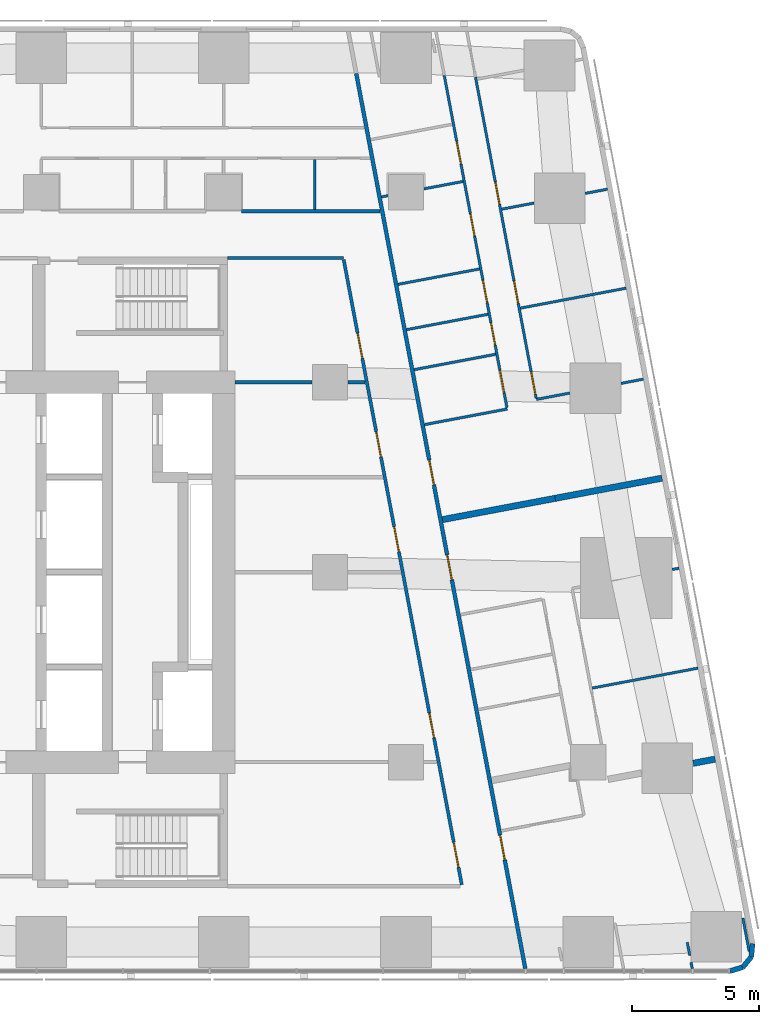
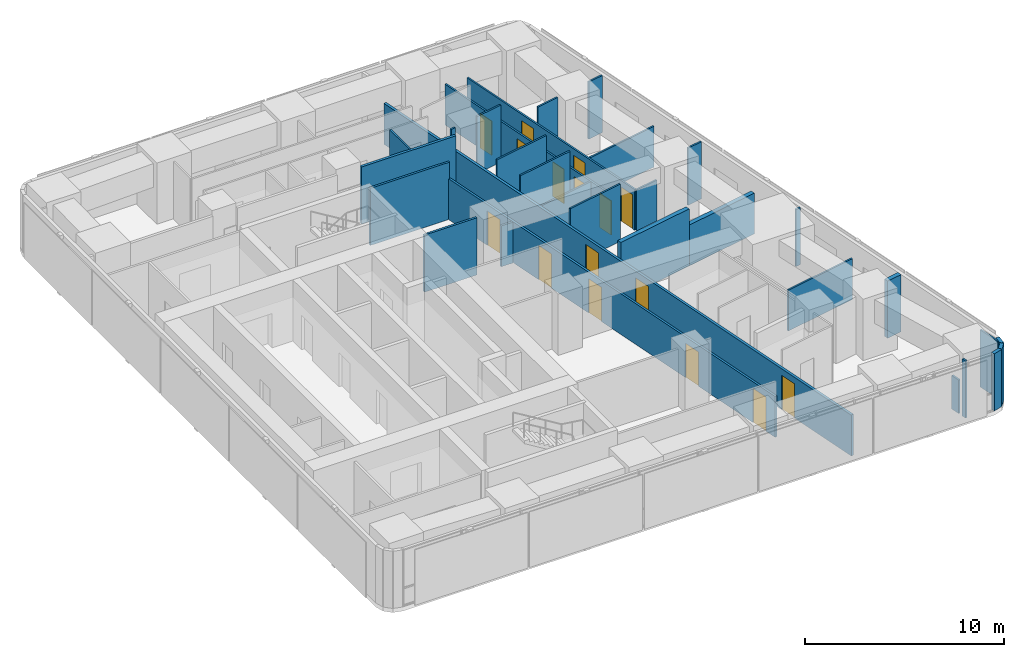
# One storey, part 7 of 11: 31 walls, 16 doors, 16 openings.
"""IFC4 building model written with IfcOpenShell, lengths in metres."""

from ifc_helpers import new_model, si_unit, direction, frame, frame_2d, origin, place, context, subcontext, project, spatial, rectangle, extrude, material, layer, layer_set, type_object, element, fill, save


model = new_model("IFC4")

# Units and contexts
model_context = context("Model", 3, precision=1e-05, world=origin(), true_north=direction((0.0, 1.0)))
body_context = subcontext(model_context, "Body", "Model", "MODEL_VIEW")
ifc_project = project(units=[si_unit("LENGTHUNIT", "METRE"), si_unit("AREAUNIT", "SQUARE_METRE"), si_unit("VOLUMEUNIT", "CUBIC_METRE"), si_unit("PLANEANGLEUNIT", "RADIAN"), si_unit("MASSUNIT", "GRAM", prefix="KILO")], contexts=[model_context])

# Site, building, storey
site_placement = place(None, origin())
site = spatial("IfcSite", under=ifc_project, at=site_placement, CompositionType="ELEMENT")
building_placement = place(site_placement, origin())
building = spatial("IfcBuilding", under=site, at=building_placement, Name="Sheger Commons Tower", CompositionType="ELEMENT")
storey_placement = place(building_placement, frame((0.0, 0.0, 266.60009765625)))
storey = spatial("IfcBuildingStorey", under=building, at=storey_placement, Name="L68", CompositionType="ELEMENT", Elevation=266.60009765625)

# Wall
ifc_material_1 = material(Name="Hollow concrete block masonry, skimmed both sides", Category="masonry")
ifc_layer_1 = layer(ifc_material_1, 0.14990234375)
ifc_layer_set_1 = layer_set([ifc_layer_1], Name="CORRIDOR WALL 150")
wall_type_1 = type_object("IfcWallType", Name="CORRIDOR WALL 150", PredefinedType="SOLIDWALL", material=ifc_layer_set_1)
wall_1_placement = place(storey_placement, frame((29.5009765625, 36.75, 0.0), z_axis=(0.0, 0.0, 1.0), x_axis=(1.0, 0.0, 0.0)))
element("IfcWall", 1, at=wall_1_placement, inside=storey, type_object=wall_type_1, Name="Corridor wall L68", PredefinedType="SOLIDWALL", context=body_context, shape_type="SweptSolid", body=[
    extrude(rectangle(XDim=5.470947265625, YDim=0.14990234375, at=frame_2d((2.7353515625, 0.0))), origin(), (0.0, 0.0, 1.0), 3.5),
])

# Wall, openings, doors
wall_2_placement = place(storey_placement, frame((34.035888671875, 42.18603515625, 0.0), z_axis=(0.0, 0.0, 1.0), x_axis=(0.185593518645, -0.9826266055, 0.0)))
wall_2 = element("IfcWall", 2, at=wall_2_placement, inside=storey, type_object=wall_type_1, Name="Corridor wall L68", PredefinedType="SOLIDWALL", context=body_context, shape_type="SweptSolid", body=[
    extrude(rectangle(XDim=35.960693359375, YDim=0.14990234375, at=frame_2d((17.98046875, 0.0))), origin(), (0.0, 0.0, 1.0), 2.5),
])
opening_1_placement = place(wall_2_placement, frame((15.529052734375, 0.0, 0.0)))
opening_1 = element("IfcOpeningElement", 3, at=opening_1_placement, cuts=wall_2, Name="Opening D1", PredefinedType="OPENING", context=body_context, shape_type="SweptSolid", body=[
    extrude(rectangle(XDim=1.0, YDim=2.10009765625, at=frame_2d((0.5, 1.050048828125))), frame((0.0, 0.0849609375, 0.0), z_axis=(0.0, -1.0, 0.0), x_axis=(1.0, 0.0, 0.0)), (0.0, 0.0, 1.0), 0.169921875),
])
opening_2_placement = place(wall_2_placement, frame((19.344970703125, 0.0, 0.0)))
opening_2 = element("IfcOpeningElement", 4, at=opening_2_placement, cuts=wall_2, Name="Opening D1", PredefinedType="OPENING", context=body_context, shape_type="SweptSolid", body=[
    extrude(rectangle(XDim=1.0, YDim=2.10009765625, at=frame_2d((0.5, 1.050048828125))), frame((0.0, 0.0849609375, 0.0), z_axis=(0.0, -1.0, 0.0), x_axis=(1.0, 0.0, 0.0)), (0.0, 0.0, 1.0), 0.169921875),
])
opening_3_placement = place(wall_2_placement, frame((30.593994140625, 0.0, 0.0)))
opening_3 = element("IfcOpeningElement", 5, at=opening_3_placement, cuts=wall_2, Name="Opening D1", PredefinedType="OPENING", context=body_context, shape_type="SweptSolid", body=[
    extrude(rectangle(XDim=1.0, YDim=2.10009765625, at=frame_2d((0.5, 1.050048828125))), frame((0.0, 0.0849609375, 0.0), z_axis=(0.0, -1.0, 0.0), x_axis=(1.0, 0.0, 0.0)), (0.0, 0.0, 1.0), 0.169921875),
])
ifc_material_2 = material(Name="Steel door set, fire rated", Category="steel")
door_type_1 = type_object("IfcDoorType", Name="FLAT ENTRANCE DOOR 1000x2100", OperationType="NOTDEFINED", PredefinedType="DOOR", material=ifc_material_2)
door_1_placement = place(opening_1_placement, origin())
door_1 = element("IfcDoor", 6, at=door_1_placement, inside=storey, type_object=door_type_1, Name="Flat entrance door", OperationType="SINGLE_SWING_RIGHT", OverallHeight=2.10009765625, OverallWidth=1.0, PredefinedType="DOOR", context=body_context, shape_type="SweptSolid", body=[
    extrude(rectangle(XDim=1.0, YDim=2.10009765625, at=frame_2d((0.5, 1.050048828125))), frame((0.0, 0.02490234375, 0.0), z_axis=(0.0, -1.0, 0.0), x_axis=(1.0, 0.0, 0.0)), (0.0, 0.0, 1.0), 0.050048828125),
])
fill(opening_1, door_1)
door_2_placement = place(opening_2_placement, origin())
door_2 = element("IfcDoor", 7, at=door_2_placement, inside=storey, type_object=door_type_1, Name="Flat entrance door", OperationType="SINGLE_SWING_LEFT", OverallHeight=2.10009765625, OverallWidth=1.0, PredefinedType="DOOR", context=body_context, shape_type="SweptSolid", body=[
    extrude(rectangle(XDim=1.0, YDim=2.10009765625, at=frame_2d((0.5, 1.050048828125))), frame((0.0, 0.02490234375, 0.0), z_axis=(0.0, -1.0, 0.0), x_axis=(1.0, 0.0, 0.0)), (0.0, 0.0, 1.0), 0.050048828125),
])
fill(opening_2, door_2)
door_3_placement = place(opening_3_placement, origin())
door_3 = element("IfcDoor", 8, at=door_3_placement, inside=storey, type_object=door_type_1, Name="Flat entrance door", OperationType="SINGLE_SWING_RIGHT", OverallHeight=2.10009765625, OverallWidth=1.0, PredefinedType="DOOR", context=body_context, shape_type="SweptSolid", body=[
    extrude(rectangle(XDim=1.0, YDim=2.10009765625, at=frame_2d((0.5, 1.050048828125))), frame((0.0, 0.02490234375, 0.0), z_axis=(0.0, -1.0, 0.0), x_axis=(1.0, 0.0, 0.0)), (0.0, 0.0, 1.0), 0.050048828125),
])
fill(opening_3, door_3)

# Walls
ifc_material_3 = material(Name="Dense concrete block masonry, plastered both sides (separating wall between flats)", Category="masonry")
ifc_layer_2 = layer(ifc_material_3, 0.25)
ifc_layer_set_2 = layer_set([ifc_layer_2], Name="DEMISING WALL 250")
wall_type_2 = type_object("IfcWallType", Name="DEMISING WALL 250", PredefinedType="SOLIDWALL", material=ifc_layer_set_2)
wall_3_placement = place(storey_placement, frame((46.110107421875, 26.212890625, 0.0), z_axis=(0.0, 0.0, 1.0), x_axis=(-0.982633535512, -0.185556823879, 0.0)))
element("IfcWall", 9, at=wall_3_placement, inside=storey, type_object=wall_type_2, Name="Demising wall L68", PredefinedType="SOLIDWALL", context=body_context, shape_type="SweptSolid", body=[
    extrude(rectangle(XDim=4.2998046875, YDim=0.25, at=frame_2d((2.14990234375, 0.0))), origin(), (0.0, 0.0, 1.0), 2.5),
])
wall_4_placement = place(storey_placement, frame((41.885009765625, 25.4150390625, 0.0), z_axis=(0.0, 0.0, 1.0), x_axis=(-0.982612837616, -0.185666398014, 0.0)))
element("IfcWall", 10, at=wall_4_placement, inside=storey, type_object=wall_type_2, Name="Demising wall L68", PredefinedType="SOLIDWALL", context=body_context, shape_type="SweptSolid", body=[
    extrude(rectangle(XDim=4.524658203125, YDim=0.25, at=frame_2d((2.26220703125, 0.0))), origin(), (0.0, 0.0, 1.0), 3.5),
])
wall_5_placement = place(storey_placement, frame((48.2060546875, 15.1201171875, 0.0), z_axis=(0.0, 0.0, 1.0), x_axis=(-0.982608419258, -0.185689780017, 0.0)))
element("IfcWall", 11, at=wall_5_placement, inside=storey, type_object=wall_type_2, Name="Demising wall L68", PredefinedType="SOLIDWALL", context=body_context, shape_type="SweptSolid", body=[
    extrude(rectangle(XDim=0.883544921875, YDim=0.25, at=frame_2d((0.44189453125, 0.0))), origin(), (0.0, 0.0, 1.0), 3.5),
])
ifc_material_4 = material(Name="Rendered concrete block masonry, dark grey", Category="masonry")
ifc_layer_3 = layer(ifc_material_4, 0.199951171875)
ifc_layer_set_3 = layer_set([ifc_layer_3], Name="FACADE WALL 200")
wall_type_3 = type_object("IfcWallType", Name="FACADE WALL 200", PredefinedType="SOLIDWALL", material=ifc_layer_set_3)
wall_6_placement = place(storey_placement, frame((48.787109375, 6.75, 0.0), z_axis=(0.0, 0.0, 1.0), x_axis=(0.957282247819, 0.289155145225, 0.0)))
element("IfcWall", 12, at=wall_6_placement, inside=storey, type_object=wall_type_3, Name="Facade wall L68", PredefinedType="SOLIDWALL", context=body_context, shape_type="SweptSolid", body=[
    extrude(rectangle(XDim=0.53271484375, YDim=0.199951171875, at=frame_2d((0.266357421875, 0.0))), origin(), (0.0, 0.0, 1.0), 3.5),
])
wall_7_placement = place(storey_placement, frame((49.297119140625, 6.904052734375, 0.0), z_axis=(0.0, 0.0, 1.0), x_axis=(0.639255849474, 0.768994121508, 0.0)))
element("IfcWall", 13, at=wall_7_placement, inside=storey, type_object=wall_type_3, Name="Facade wall L68", PredefinedType="SOLIDWALL", context=body_context, shape_type="SweptSolid", body=[
    extrude(rectangle(XDim=0.517578125, YDim=0.199951171875, at=frame_2d((0.2587890625, 0.0))), origin(), (0.0, 0.0, 1.0), 3.5),
])
wall_8_placement = place(storey_placement, frame((49.6279296875, 7.302001953125, 0.0), z_axis=(0.0, 0.0, 1.0), x_axis=(0.105352390132, 0.994434952068, 0.0)))
element("IfcWall", 14, at=wall_8_placement, inside=storey, type_object=wall_type_3, Name="Facade wall L68", PredefinedType="SOLIDWALL", context=body_context, shape_type="SweptSolid", body=[
    extrude(rectangle(XDim=0.532958984375, YDim=0.199951171875, at=frame_2d((0.2666015625, 0.0))), origin(), (0.0, 0.0, 1.0), 3.5),
])
ifc_material_5 = material(Name="Gypsum board on steel studs", Category="steel")
ifc_layer_4 = layer(ifc_material_5, 0.10009765625)
ifc_layer_set_4 = layer_set([ifc_layer_4], Name="PARTITION 100")
wall_type_4 = type_object("IfcWallType", Name="PARTITION 100", PredefinedType="PARTITIONING", material=ifc_layer_set_4)
wall_9_placement = place(storey_placement, frame((49.300048828125, 8.85107421875, 0.0), z_axis=(0.0, 0.0, 1.0), x_axis=(0.18581620423, -0.982584519645, 0.0)))
element("IfcWall", 15, at=wall_9_placement, inside=storey, type_object=wall_type_4, Name="Partition L68", PredefinedType="PARTITIONING", context=body_context, shape_type="SweptSolid", body=[
    extrude(rectangle(XDim=1.3505859375, YDim=0.10009765625, at=frame_2d((0.67529296875, 0.0))), origin(), (0.0, 0.0, 1.0), 3.5),
])
wall_10_placement = place(storey_placement, frame((47.301025390625, 6.85009765625, 0.0), z_axis=(0.0, 0.0, 1.0), x_axis=(-0.187513903188, 0.982261948826, 0.0)))
element("IfcWall", 16, at=wall_10_placement, inside=storey, type_object=wall_type_4, Name="Partition L68", PredefinedType="PARTITIONING", context=body_context, shape_type="SweptSolid", body=[
    extrude(rectangle(XDim=0.251220703125, YDim=0.10009765625, at=frame_2d((0.12548828125, 0.0))), origin(), (0.0, 0.0, 1.0), 3.5),
])
wall_11_placement = place(storey_placement, frame((47.202880859375, 7.368896484375, 0.0), z_axis=(0.0, 0.0, 1.0), x_axis=(-0.186456243114, 0.982463266185, 0.0)))
element("IfcWall", 17, at=wall_11_placement, inside=storey, type_object=wall_type_4, Name="Partition L68", PredefinedType="PARTITIONING", context=body_context, shape_type="SweptSolid", body=[
    extrude(rectangle(XDim=0.5302734375, YDim=0.10009765625, at=frame_2d((0.26513671875, 0.0))), origin(), (0.0, 0.0, 1.0), 2.0498046875),
])

# Wall, openings, doors
wall_12_placement = place(storey_placement, frame((38.743896484375, 42.044921875, 0.0), z_axis=(0.0, 0.0, 1.0), x_axis=(0.185614085367, -0.982622720739, 0.0)))
wall_12 = element("IfcWall", 18, at=wall_12_placement, inside=storey, type_object=wall_type_4, Name="Partition L68", PredefinedType="PARTITIONING", context=body_context, shape_type="SweptSolid", body=[
    extrude(rectangle(XDim=12.89794921875, YDim=0.10009765625, at=frame_2d((6.448974609375, 0.0))), origin(), (0.0, 0.0, 1.0), 2.5),
])
opening_4_placement = place(wall_12_placement, frame((11.847900390625, 0.0, 0.0)))
opening_4 = element("IfcOpeningElement", 19, at=opening_4_placement, cuts=wall_12, Name="Opening D2", PredefinedType="OPENING", context=body_context, shape_type="SweptSolid", body=[
    extrude(rectangle(XDim=0.89990234375, YDim=2.10009765625, at=frame_2d((0.449951171875, 1.050048828125))), frame((0.0, 0.06005859375, 0.0), z_axis=(0.0, -1.0, 0.0), x_axis=(1.0, 0.0, 0.0)), (0.0, 0.0, 1.0), 0.1201171875),
])
opening_5_placement = place(wall_12_placement, frame((8.19091796875, 0.0, 0.0)))
opening_5 = element("IfcOpeningElement", 20, at=opening_5_placement, cuts=wall_12, Name="Opening D2", PredefinedType="OPENING", context=body_context, shape_type="SweptSolid", body=[
    extrude(rectangle(XDim=0.89990234375, YDim=2.10009765625, at=frame_2d((0.449951171875, 1.050048828125))), frame((0.0, 0.06005859375, 0.0), z_axis=(0.0, -1.0, 0.0), x_axis=(1.0, 0.0, 0.0)), (0.0, 0.0, 1.0), 0.1201171875),
])
opening_6_placement = place(wall_12_placement, frame((4.215087890625, 0.0, 0.0)))
opening_6 = element("IfcOpeningElement", 21, at=opening_6_placement, cuts=wall_12, Name="Opening D2", PredefinedType="OPENING", context=body_context, shape_type="SweptSolid", body=[
    extrude(rectangle(XDim=0.89990234375, YDim=2.10009765625, at=frame_2d((0.449951171875, 1.050048828125))), frame((0.0, 0.06005859375, 0.0), z_axis=(0.0, -1.0, 0.0), x_axis=(1.0, 0.0, 0.0)), (0.0, 0.0, 1.0), 0.1201171875),
])
ifc_material_6 = material(Name="Timber door set", Category="wood")
door_type_2 = type_object("IfcDoorType", Name="INTERNAL DOOR 900x2100", OperationType="NOTDEFINED", PredefinedType="DOOR", material=ifc_material_6)
door_4_placement = place(opening_4_placement, origin())
door_4 = element("IfcDoor", 22, at=door_4_placement, inside=storey, type_object=door_type_2, Name="Main bedroom door", OperationType="SINGLE_SWING_RIGHT", OverallHeight=2.10009765625, OverallWidth=0.89990234375, PredefinedType="DOOR", context=body_context, shape_type="SweptSolid", body=[
    extrude(rectangle(XDim=0.89990234375, YDim=2.10009765625, at=frame_2d((0.449951171875, 1.050048828125))), frame((0.0, 0.02490234375, 0.0), z_axis=(0.0, -1.0, 0.0), x_axis=(1.0, 0.0, 0.0)), (0.0, 0.0, 1.0), 0.050048828125),
])
fill(opening_4, door_4)
door_5_placement = place(opening_5_placement, origin())
door_5 = element("IfcDoor", 23, at=door_5_placement, inside=storey, type_object=door_type_2, Name="Bedroom 2 door", OperationType="SINGLE_SWING_RIGHT", OverallHeight=2.10009765625, OverallWidth=0.89990234375, PredefinedType="DOOR", context=body_context, shape_type="SweptSolid", body=[
    extrude(rectangle(XDim=0.89990234375, YDim=2.10009765625, at=frame_2d((0.449951171875, 1.050048828125))), frame((0.0, 0.02490234375, 0.0), z_axis=(0.0, -1.0, 0.0), x_axis=(1.0, 0.0, 0.0)), (0.0, 0.0, 1.0), 0.050048828125),
])
fill(opening_5, door_5)
door_6_placement = place(opening_6_placement, origin())
door_6 = element("IfcDoor", 24, at=door_6_placement, inside=storey, type_object=door_type_2, Name="Bedroom 3 door", OperationType="SINGLE_SWING_RIGHT", OverallHeight=2.10009765625, OverallWidth=0.89990234375, PredefinedType="DOOR", context=body_context, shape_type="SweptSolid", body=[
    extrude(rectangle(XDim=0.89990234375, YDim=2.10009765625, at=frame_2d((0.449951171875, 1.050048828125))), frame((0.0, 0.02490234375, 0.0), z_axis=(0.0, -1.0, 0.0), x_axis=(1.0, 0.0, 0.0)), (0.0, 0.0, 1.0), 0.050048828125),
])
fill(opening_6, door_6)

wall_13_placement = place(storey_placement, frame((37.510986328125, 42.10888671875, 0.0), z_axis=(0.0, 0.0, 1.0), x_axis=(0.185550464988, -0.982634736279, 0.0)))
wall_13 = element("IfcWall", 25, at=wall_13_placement, inside=storey, type_object=wall_type_4, Name="Partition L68", PredefinedType="PARTITIONING", context=body_context, shape_type="SweptSolid", body=[
    extrude(rectangle(XDim=13.349853515625, YDim=0.10009765625, at=frame_2d((6.6748046875, 0.0))), origin(), (0.0, 0.0, 1.0), 2.5),
])
opening_7_placement = place(wall_13_placement, frame((11.844970703125, 0.0, 0.0)))
opening_7 = element("IfcOpeningElement", 26, at=opening_7_placement, cuts=wall_13, Name="Opening D2", PredefinedType="OPENING", context=body_context, shape_type="SweptSolid", body=[
    extrude(rectangle(XDim=0.89990234375, YDim=2.10009765625, at=frame_2d((0.449951171875, 1.050048828125))), frame((0.0, 0.06005859375, 0.0), z_axis=(0.0, -1.0, 0.0), x_axis=(1.0, 0.0, 0.0)), (0.0, 0.0, 1.0), 0.1201171875),
])
opening_8_placement = place(wall_13_placement, frame((8.22412109375, 0.0, 0.0)))
opening_8 = element("IfcOpeningElement", 27, at=opening_8_placement, cuts=wall_13, Name="Opening D2", PredefinedType="OPENING", context=body_context, shape_type="SweptSolid", body=[
    extrude(rectangle(XDim=0.89990234375, YDim=2.10009765625, at=frame_2d((0.449951171875, 1.050048828125))), frame((0.0, 0.06005859375, 0.0), z_axis=(0.0, -1.0, 0.0), x_axis=(1.0, 0.0, 0.0)), (0.0, 0.0, 1.0), 0.1201171875),
])
opening_9_placement = place(wall_13_placement, frame((2.64990234375, 0.0, 0.0)))
opening_9 = element("IfcOpeningElement", 28, at=opening_9_placement, cuts=wall_13, Name="Opening D2", PredefinedType="OPENING", context=body_context, shape_type="SweptSolid", body=[
    extrude(rectangle(XDim=0.89990234375, YDim=2.10009765625, at=frame_2d((0.449951171875, 1.050048828125))), frame((0.0, 0.06005859375, 0.0), z_axis=(0.0, -1.0, 0.0), x_axis=(1.0, 0.0, 0.0)), (0.0, 0.0, 1.0), 0.1201171875),
])
opening_10_placement = place(wall_13_placement, frame((9.93603515625, 0.0, 0.0)))
opening_10 = element("IfcOpeningElement", 29, at=opening_10_placement, cuts=wall_13, Name="Opening D2", PredefinedType="OPENING", context=body_context, shape_type="SweptSolid", body=[
    extrude(rectangle(XDim=0.89990234375, YDim=2.10009765625, at=frame_2d((0.449951171875, 1.050048828125))), frame((0.0, 0.06005859375, 0.0), z_axis=(0.0, -1.0, 0.0), x_axis=(1.0, 0.0, 0.0)), (0.0, 0.0, 1.0), 0.1201171875),
])
opening_11_placement = place(wall_13_placement, frame((5.554931640625, 0.0, 0.0)))
opening_11 = element("IfcOpeningElement", 30, at=opening_11_placement, cuts=wall_13, Name="Opening D2", PredefinedType="OPENING", context=body_context, shape_type="SweptSolid", body=[
    extrude(rectangle(XDim=0.89990234375, YDim=2.10009765625, at=frame_2d((0.449951171875, 1.050048828125))), frame((0.0, 0.06005859375, 0.0), z_axis=(0.0, -1.0, 0.0), x_axis=(1.0, 0.0, 0.0)), (0.0, 0.0, 1.0), 0.1201171875),
])
door_7_placement = place(opening_7_placement, origin())
door_7 = element("IfcDoor", 31, at=door_7_placement, inside=storey, type_object=door_type_2, Name="Bathroom door", OperationType="SINGLE_SWING_LEFT", OverallHeight=2.10009765625, OverallWidth=0.89990234375, PredefinedType="DOOR", context=body_context, shape_type="SweptSolid", body=[
    extrude(rectangle(XDim=0.89990234375, YDim=2.10009765625, at=frame_2d((0.449951171875, 1.050048828125))), frame((0.0, 0.02490234375, 0.0), z_axis=(0.0, -1.0, 0.0), x_axis=(1.0, 0.0, 0.0)), (0.0, 0.0, 1.0), 0.050048828125),
])
fill(opening_7, door_7)
door_8_placement = place(opening_8_placement, origin())
door_8 = element("IfcDoor", 32, at=door_8_placement, inside=storey, type_object=door_type_2, Name="Laundry room door", OperationType="SINGLE_SWING_LEFT", OverallHeight=2.10009765625, OverallWidth=0.89990234375, PredefinedType="DOOR", context=body_context, shape_type="SweptSolid", body=[
    extrude(rectangle(XDim=0.89990234375, YDim=2.10009765625, at=frame_2d((0.449951171875, 1.050048828125))), frame((0.0, 0.02490234375, 0.0), z_axis=(0.0, -1.0, 0.0), x_axis=(1.0, 0.0, 0.0)), (0.0, 0.0, 1.0), 0.050048828125),
])
fill(opening_8, door_8)
door_9_placement = place(opening_9_placement, origin())
door_9 = element("IfcDoor", 33, at=door_9_placement, inside=storey, type_object=door_type_2, Name="Laundry room door", OperationType="SINGLE_SWING_LEFT", OverallHeight=2.10009765625, OverallWidth=0.89990234375, PredefinedType="DOOR", context=body_context, shape_type="SweptSolid", body=[
    extrude(rectangle(XDim=0.89990234375, YDim=2.10009765625, at=frame_2d((0.449951171875, 1.050048828125))), frame((0.0, 0.02490234375, 0.0), z_axis=(0.0, -1.0, 0.0), x_axis=(1.0, 0.0, 0.0)), (0.0, 0.0, 1.0), 0.050048828125),
])
fill(opening_9, door_9)
door_10_placement = place(opening_10_placement, origin())
door_10 = element("IfcDoor", 34, at=door_10_placement, inside=storey, type_object=door_type_2, Name="Store door", OperationType="SINGLE_SWING_RIGHT", OverallHeight=2.10009765625, OverallWidth=0.89990234375, PredefinedType="DOOR", context=body_context, shape_type="SweptSolid", body=[
    extrude(rectangle(XDim=0.89990234375, YDim=2.10009765625, at=frame_2d((0.449951171875, 1.050048828125))), frame((0.0, 0.02490234375, 0.0), z_axis=(0.0, -1.0, 0.0), x_axis=(1.0, 0.0, 0.0)), (0.0, 0.0, 1.0), 0.050048828125),
])
fill(opening_10, door_10)
door_11_placement = place(opening_11_placement, origin())
door_11 = element("IfcDoor", 35, at=door_11_placement, inside=storey, type_object=door_type_2, Name="Store door", OperationType="SINGLE_SWING_RIGHT", OverallHeight=2.10009765625, OverallWidth=0.89990234375, PredefinedType="DOOR", context=body_context, shape_type="SweptSolid", body=[
    extrude(rectangle(XDim=0.89990234375, YDim=2.10009765625, at=frame_2d((0.449951171875, 1.050048828125))), frame((0.0, 0.02490234375, 0.0), z_axis=(0.0, -1.0, 0.0), x_axis=(1.0, 0.0, 0.0)), (0.0, 0.0, 1.0), 0.050048828125),
])
fill(opening_11, door_11)

# Walls
wall_14_placement = place(storey_placement, frame((43.955078125, 37.6201171875, 0.0), z_axis=(0.0, 0.0, 1.0), x_axis=(-0.982708424405, -0.18515980288, 0.0)))
element("IfcWall", 36, at=wall_14_placement, inside=storey, type_object=wall_type_4, Name="Partition L68", PredefinedType="PARTITIONING", context=body_context, shape_type="SweptSolid", body=[
    extrude(rectangle(XDim=0.896728515625, YDim=0.10009765625, at=frame_2d((0.4482421875, 0.0))), origin(), (0.0, 0.0, 1.0), 3.5),
])
wall_15_placement = place(storey_placement, frame((41.053955078125, 37.072021484375, 0.0), z_axis=(0.0, 0.0, 1.0), x_axis=(-0.982576752117, -0.185857273733, 0.0)))
element("IfcWall", 37, at=wall_15_placement, inside=storey, type_object=wall_type_4, Name="Partition L68", PredefinedType="PARTITIONING", context=body_context, shape_type="SweptSolid", body=[
    extrude(rectangle(XDim=1.296630859375, YDim=0.10009765625, at=frame_2d((0.6484375, 0.0))), origin(), (0.0, 0.0, 1.0), 3.5),
])
wall_16_placement = place(storey_placement, frame((44.693115234375, 33.712890625, 0.0), z_axis=(0.0, 0.0, 1.0), x_axis=(-0.982615600536, -0.185651775062, 0.0)))
element("IfcWall", 38, at=wall_16_placement, inside=storey, type_object=wall_type_4, Name="Partition L68", PredefinedType="PARTITIONING", context=body_context, shape_type="SweptSolid", body=[
    extrude(rectangle(XDim=4.2490234375, YDim=0.10009765625, at=frame_2d((2.12451171875, 0.0))), origin(), (0.0, 0.0, 1.0), 2.5),
])
wall_17_placement = place(storey_placement, frame((45.3720703125, 30.12109375, 0.0), z_axis=(0.0, 0.0, 1.0), x_axis=(-0.982547416156, -0.186012297994, 0.0)))
element("IfcWall", 39, at=wall_17_placement, inside=storey, type_object=wall_type_4, Name="Partition L68", PredefinedType="PARTITIONING", context=body_context, shape_type="SweptSolid", body=[
    extrude(rectangle(XDim=0.897705078125, YDim=0.10009765625, at=frame_2d((0.44873046875, 0.0))), origin(), (0.0, 0.0, 1.0), 3.5),
])
wall_18_placement = place(storey_placement, frame((42.469970703125, 29.572021484375, 0.0), z_axis=(0.0, 0.0, 1.0), x_axis=(-0.982610503289, -0.185678751683, 0.0)))
element("IfcWall", 40, at=wall_18_placement, inside=storey, type_object=wall_type_4, Name="Partition L68", PredefinedType="PARTITIONING", context=body_context, shape_type="SweptSolid", body=[
    extrude(rectangle(XDim=1.346435546875, YDim=0.10009765625, at=frame_2d((0.67333984375, 0.0))), origin(), (0.0, 0.0, 1.0), 2.5),
])
wall_19_placement = place(storey_placement, frame((38.25, 37.925048828125, 0.0), z_axis=(0.0, 0.0, 1.0), x_axis=(-0.982610209589, -0.185680305934, 0.0)))
element("IfcWall", 41, at=wall_19_placement, inside=storey, type_object=wall_type_4, Name="Partition L68", PredefinedType="PARTITIONING", context=body_context, shape_type="SweptSolid", body=[
    extrude(rectangle(XDim=1.5673828125, YDim=0.10009765625, at=frame_2d((0.78369140625, 0.0))), origin(), (0.0, 0.0, 1.0), 3.5),
])
wall_20_placement = place(storey_placement, frame((35.2900390625, 37.365966796875, 0.0), z_axis=(0.0, 0.0, 1.0), x_axis=(-0.982395465615, -0.18681313963, 0.0)))
element("IfcWall", 42, at=wall_20_placement, inside=storey, type_object=wall_type_4, Name="Partition L68", PredefinedType="PARTITIONING", context=body_context, shape_type="SweptSolid", body=[
    extrude(rectangle(XDim=0.2626953125, YDim=0.10009765625, at=frame_2d((0.13134765625, 0.0))), origin(), (0.0, 0.0, 1.0), 3.5),
])
wall_21_placement = place(storey_placement, frame((39.239990234375, 32.68310546875, 0.0), z_axis=(0.0, 0.0, 1.0), x_axis=(-0.982607026909, -0.185697147715, 0.0)))
element("IfcWall", 43, at=wall_21_placement, inside=storey, type_object=wall_type_4, Name="Partition L68", PredefinedType="PARTITIONING", context=body_context, shape_type="SweptSolid", body=[
    extrude(rectangle(XDim=3.27490234375, YDim=0.10009765625, at=frame_2d((1.637451171875, 0.0))), origin(), (0.0, 0.0, 1.0), 3.5),
])
wall_22_placement = place(storey_placement, frame((39.9970703125, 28.94189453125, 0.0), z_axis=(0.0, 0.0, 1.0), x_axis=(-0.982569883123, -0.185893584556, 0.0)))
element("IfcWall", 44, at=wall_22_placement, inside=storey, type_object=wall_type_4, Name="Partition L68", PredefinedType="PARTITIONING", context=body_context, shape_type="SweptSolid", body=[
    extrude(rectangle(XDim=3.323974609375, YDim=0.10009765625, at=frame_2d((1.662109375, 0.0))), origin(), (0.0, 0.0, 1.0), 3.5),
])
wall_23_placement = place(storey_placement, frame((39.5380859375, 31.10400390625, 0.0), z_axis=(0.0, 0.0, 1.0), x_axis=(-0.982620626894, -0.185625169636, 0.0)))
element("IfcWall", 45, at=wall_23_placement, inside=storey, type_object=wall_type_4, Name="Partition L68", PredefinedType="PARTITIONING", context=body_context, shape_type="SweptSolid", body=[
    extrude(rectangle(XDim=3.27490234375, YDim=0.10009765625, at=frame_2d((1.637451171875, 0.0))), origin(), (0.0, 0.0, 1.0), 2.5),
])
wall_24_placement = place(storey_placement, frame((38.902099609375, 34.470947265625, 0.0), z_axis=(0.0, 0.0, 1.0), x_axis=(-0.982674977865, -0.185337227447, 0.0)))
element("IfcWall", 46, at=wall_24_placement, inside=storey, type_object=wall_type_4, Name="Partition L68", PredefinedType="PARTITIONING", context=body_context, shape_type="SweptSolid", body=[
    extrude(rectangle(XDim=3.274658203125, YDim=0.10009765625, at=frame_2d((1.63720703125, 0.0))), origin(), (0.0, 0.0, 1.0), 3.5),
])
wall_25_placement = place(storey_placement, frame((46.781982421875, 22.656982421875, 0.0), z_axis=(0.0, 0.0, 1.0), x_axis=(-0.982574553168, -0.185868898601, 0.0)))
element("IfcWall", 47, at=wall_25_placement, inside=storey, type_object=wall_type_4, Name="Partition L68", PredefinedType="PARTITIONING", context=body_context, shape_type="SweptSolid", body=[
    extrude(rectangle(XDim=0.27978515625, YDim=0.10009765625, at=frame_2d((0.139892578125, 0.0))), origin(), (0.0, 0.0, 1.0), 3.5),
])
wall_26_placement = place(storey_placement, frame((47.527099609375, 18.7119140625, 0.0), z_axis=(0.0, 0.0, 1.0), x_axis=(-0.982665405803, -0.185387972203, 0.0)))
element("IfcWall", 48, at=wall_26_placement, inside=storey, type_object=wall_type_4, Name="Partition L68", PredefinedType="PARTITIONING", context=body_context, shape_type="SweptSolid", body=[
    extrude(rectangle(XDim=4.249755859375, YDim=0.10009765625, at=frame_2d((2.125, 0.0))), origin(), (0.0, 0.0, 1.0), 2.5),
])
wall_27_placement = place(storey_placement, frame((32.39990234375, 36.824951171875, 0.0), z_axis=(0.0, 0.0, 1.0), x_axis=(0.0, 1.0, 0.0)))
element("IfcWall", 49, at=wall_27_placement, inside=storey, type_object=wall_type_4, Name="Partition L68", PredefinedType="PARTITIONING", context=body_context, shape_type="SweptSolid", body=[
    extrude(rectangle(XDim=1.97509765625, YDim=0.10009765625, at=frame_2d((0.987548828125, 0.0))), origin(), (0.0, 0.0, 1.0), 3.5),
])
ifc_material_7 = material(Name="Gypsum board on steel studs, two layers each side, fire rated", Category="steel")
ifc_layer_5 = layer(ifc_material_7, 0.125)
ifc_layer_set_5 = layer_set([ifc_layer_5], Name="SERVICE WALL 125")
wall_type_5 = type_object("IfcWallType", Name="SERVICE WALL 125", PredefinedType="PARTITIONING", material=ifc_layer_set_5)
wall_28_placement = place(storey_placement, frame((28.949951171875, 34.89990234375, 0.0), z_axis=(0.0, 0.0, 1.0), x_axis=(1.0, 0.0, 0.0)))
element("IfcWall", 50, at=wall_28_placement, inside=storey, type_object=wall_type_5, Name="Service room wall L68", PredefinedType="PARTITIONING", context=body_context, shape_type="SweptSolid", body=[
    extrude(rectangle(XDim=4.588134765625, YDim=0.125, at=frame_2d((2.2939453125, 0.0))), origin(), (0.0, 0.0, 1.0), 3.5),
])

# Wall, openings, doors
wall_29_placement = place(storey_placement, frame((38.201904296875, 10.1630859375, 0.0), z_axis=(0.0, 0.0, 1.0), x_axis=(-0.185610321132, 0.982623431783, 0.0)))
wall_29 = element("IfcWall", 51, at=wall_29_placement, inside=storey, type_object=wall_type_5, Name="Service room wall L68", PredefinedType="PARTITIONING", context=body_context, shape_type="SweptSolid", body=[
    extrude(rectangle(XDim=25.111083984375, YDim=0.125, at=frame_2d((12.5556640625, 0.0))), origin(), (0.0, 0.0, 1.0), 2.5),
])
opening_12_placement = place(wall_29_placement, frame((0.7080078125, 0.0, 0.0)))
opening_12 = element("IfcOpeningElement", 52, at=opening_12_placement, cuts=wall_29, Name="Opening D4", PredefinedType="OPENING", context=body_context, shape_type="SweptSolid", body=[
    extrude(rectangle(XDim=1.0, YDim=2.10009765625, at=frame_2d((0.5, 1.050048828125))), frame((0.0, 0.072509765625, 0.0), z_axis=(0.0, -1.0, 0.0), x_axis=(1.0, 0.0, 0.0)), (0.0, 0.0, 1.0), 0.14501953125),
])
opening_13_placement = place(wall_29_placement, frame((5.89990234375, 0.0, 0.0)))
opening_13 = element("IfcOpeningElement", 53, at=opening_13_placement, cuts=wall_29, Name="Opening D4", PredefinedType="OPENING", context=body_context, shape_type="SweptSolid", body=[
    extrude(rectangle(XDim=1.0, YDim=2.10009765625, at=frame_2d((0.5, 1.050048828125))), frame((0.0, 0.072509765625, 0.0), z_axis=(0.0, -1.0, 0.0), x_axis=(1.0, 0.0, 0.0)), (0.0, 0.0, 1.0), 0.14501953125),
])
opening_14_placement = place(wall_29_placement, frame((13.3779296875, 0.0, 0.0)))
opening_14 = element("IfcOpeningElement", 54, at=opening_14_placement, cuts=wall_29, Name="Opening D4", PredefinedType="OPENING", context=body_context, shape_type="SweptSolid", body=[
    extrude(rectangle(XDim=1.0, YDim=2.10009765625, at=frame_2d((0.5, 1.050048828125))), frame((0.0, 0.072509765625, 0.0), z_axis=(0.0, -1.0, 0.0), x_axis=(1.0, 0.0, 0.0)), (0.0, 0.0, 1.0), 0.14501953125),
])
opening_15_placement = place(wall_29_placement, frame((17.194091796875, 0.0, 0.0)))
opening_15 = element("IfcOpeningElement", 55, at=opening_15_placement, cuts=wall_29, Name="Opening D4", PredefinedType="OPENING", context=body_context, shape_type="SweptSolid", body=[
    extrude(rectangle(XDim=1.0, YDim=2.10009765625, at=frame_2d((0.5, 1.050048828125))), frame((0.0, 0.072509765625, 0.0), z_axis=(0.0, -1.0, 0.0), x_axis=(1.0, 0.0, 0.0)), (0.0, 0.0, 1.0), 0.14501953125),
])
opening_16_placement = place(wall_29_placement, frame((21.14990234375, 0.0, 0.0)))
opening_16 = element("IfcOpeningElement", 56, at=opening_16_placement, cuts=wall_29, Name="Opening D4", PredefinedType="OPENING", context=body_context, shape_type="SweptSolid", body=[
    extrude(rectangle(XDim=1.0, YDim=2.10009765625, at=frame_2d((0.5, 1.050048828125))), frame((0.0, 0.072509765625, 0.0), z_axis=(0.0, -1.0, 0.0), x_axis=(1.0, 0.0, 0.0)), (0.0, 0.0, 1.0), 0.14501953125),
])
ifc_material_8 = material(Name="Steel door set, fire rated", Category="steel")
door_type_3 = type_object("IfcDoorType", Name="SERVICE DOOR 1000x2100", OperationType="NOTDEFINED", PredefinedType="DOOR", material=ifc_material_8)
door_12_placement = place(opening_12_placement, origin())
door_12 = element("IfcDoor", 57, at=door_12_placement, inside=storey, type_object=door_type_3, Name="Residents' meeting room door", OperationType="SINGLE_SWING_LEFT", OverallHeight=2.10009765625, OverallWidth=1.0, PredefinedType="DOOR", context=body_context, shape_type="SweptSolid", body=[
    extrude(rectangle(XDim=1.0, YDim=2.10009765625, at=frame_2d((0.5, 1.050048828125))), frame((0.0, 0.02490234375, 0.0), z_axis=(0.0, -1.0, 0.0), x_axis=(1.0, 0.0, 0.0)), (0.0, 0.0, 1.0), 0.050048828125),
])
fill(opening_12, door_12)
door_13_placement = place(opening_13_placement, origin())
door_13 = element("IfcDoor", 58, at=door_13_placement, inside=storey, type_object=door_type_3, Name="Children's play room door", OperationType="SINGLE_SWING_LEFT", OverallHeight=2.10009765625, OverallWidth=1.0, PredefinedType="DOOR", context=body_context, shape_type="SweptSolid", body=[
    extrude(rectangle(XDim=1.0, YDim=2.10009765625, at=frame_2d((0.5, 1.050048828125))), frame((0.0, 0.02490234375, 0.0), z_axis=(0.0, -1.0, 0.0), x_axis=(1.0, 0.0, 0.0)), (0.0, 0.0, 1.0), 0.050048828125),
])
fill(opening_13, door_13)
door_14_placement = place(opening_14_placement, origin())
door_14 = element("IfcDoor", 59, at=door_14_placement, inside=storey, type_object=door_type_3, Name="Caretaker's store door", OperationType="SINGLE_SWING_LEFT", OverallHeight=2.10009765625, OverallWidth=1.0, PredefinedType="DOOR", context=body_context, shape_type="SweptSolid", body=[
    extrude(rectangle(XDim=1.0, YDim=2.10009765625, at=frame_2d((0.5, 1.050048828125))), frame((0.0, 0.02490234375, 0.0), z_axis=(0.0, -1.0, 0.0), x_axis=(1.0, 0.0, 0.0)), (0.0, 0.0, 1.0), 0.050048828125),
])
fill(opening_14, door_14)
door_15_placement = place(opening_15_placement, origin())
door_15 = element("IfcDoor", 60, at=door_15_placement, inside=storey, type_object=door_type_3, Name="Residents' store door", OperationType="SINGLE_SWING_LEFT", OverallHeight=2.10009765625, OverallWidth=1.0, PredefinedType="DOOR", context=body_context, shape_type="SweptSolid", body=[
    extrude(rectangle(XDim=1.0, YDim=2.10009765625, at=frame_2d((0.5, 1.050048828125))), frame((0.0, 0.02490234375, 0.0), z_axis=(0.0, -1.0, 0.0), x_axis=(1.0, 0.0, 0.0)), (0.0, 0.0, 1.0), 0.050048828125),
])
fill(opening_15, door_15)
door_16_placement = place(opening_16_placement, origin())
door_16 = element("IfcDoor", 61, at=door_16_placement, inside=storey, type_object=door_type_3, Name="Parcel and delivery room door", OperationType="SINGLE_SWING_LEFT", OverallHeight=2.10009765625, OverallWidth=1.0, PredefinedType="DOOR", context=body_context, shape_type="SweptSolid", body=[
    extrude(rectangle(XDim=1.0, YDim=2.10009765625, at=frame_2d((0.5, 1.050048828125))), frame((0.0, 0.02490234375, 0.0), z_axis=(0.0, -1.0, 0.0), x_axis=(1.0, 0.0, 0.0)), (0.0, 0.0, 1.0), 0.050048828125),
])
fill(opening_16, door_16)

# Walls
wall_30_placement = place(storey_placement, frame((29.25, 30.0, 0.0), z_axis=(0.0, 0.0, 1.0), x_axis=(1.0, 0.0, 0.0)))
element("IfcWall", 62, at=wall_30_placement, inside=storey, type_object=wall_type_5, Name="Service room wall L68", PredefinedType="PARTITIONING", context=body_context, shape_type="SweptSolid", body=[
    extrude(rectangle(XDim=3.049072265625, YDim=0.125, at=frame_2d((1.5244140625, 0.0))), origin(), (0.0, 0.0, 1.0), 3.5),
])
wall_31_placement = place(storey_placement, frame((33.700927734375, 30.0, 0.0), z_axis=(0.0, 0.0, 1.0), x_axis=(1.0, 0.0, 0.0)))
element("IfcWall", 63, at=wall_31_placement, inside=storey, type_object=wall_type_5, Name="Service room wall L68", PredefinedType="PARTITIONING", context=body_context, shape_type="SweptSolid", body=[
    extrude(rectangle(XDim=0.677978515625, YDim=0.125, at=frame_2d((0.3388671875, 0.0))), origin(), (0.0, 0.0, 1.0), 2.5),
])

save(model, "model.ifc")
